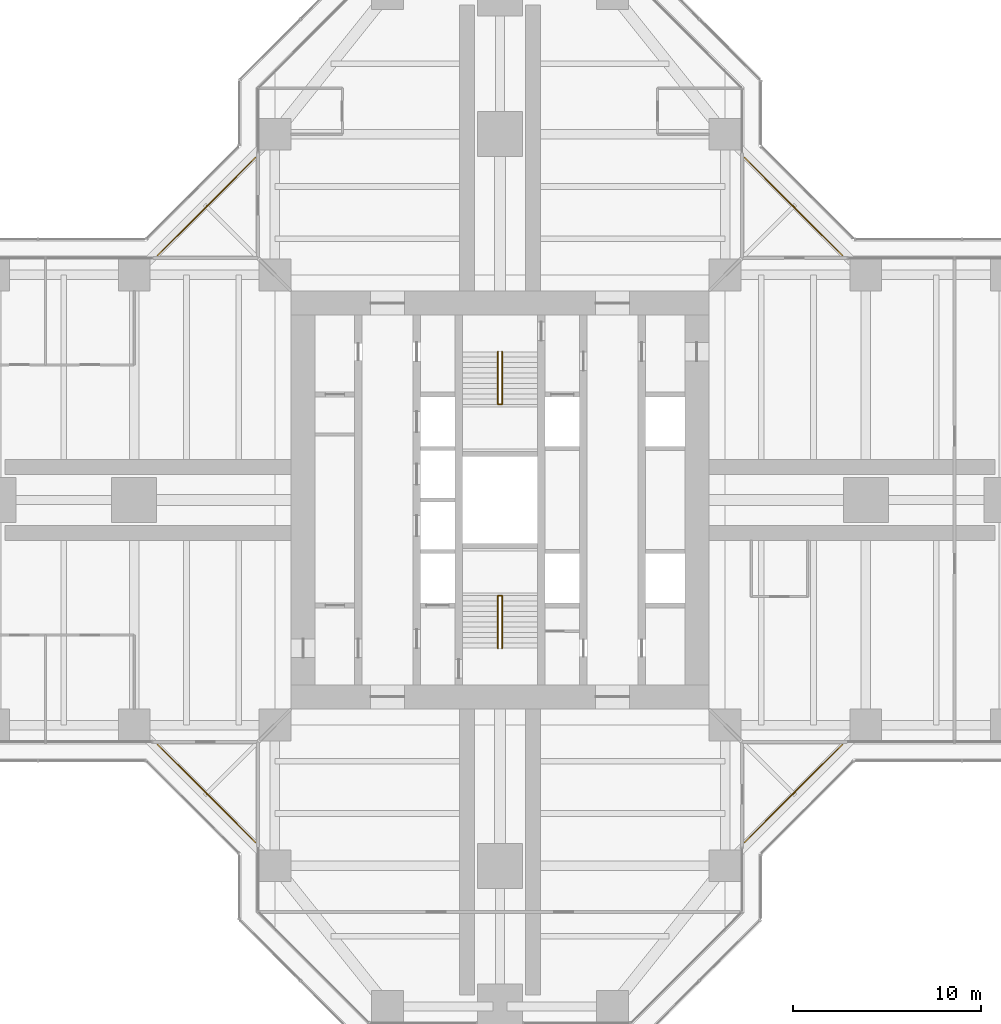
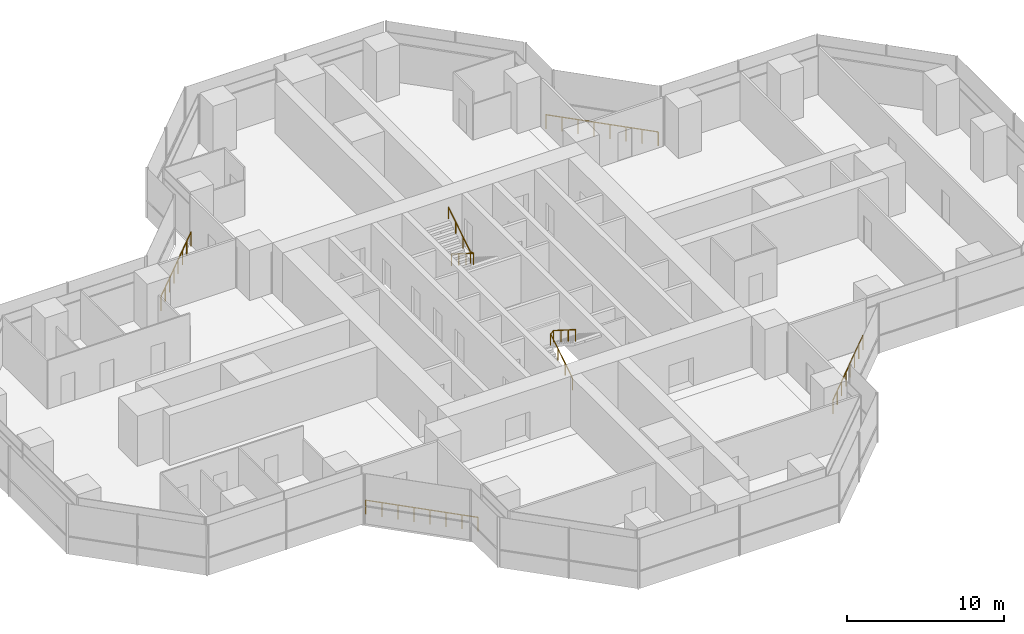
# One storey, part 20 of 20: 6 railings.
"""IFC4 building model written with IfcOpenShell, lengths in metres."""

from ifc_helpers import new_model, si_unit, direction, frame, origin, origin_2d, place, context, subcontext, project, spatial, circle, extrude, material, type_object, element, save


model = new_model("IFC4")

# Units and contexts
model_context = context("Model", 3, precision=1e-05, world=origin(), true_north=direction((0.0, 1.0)))
body_context = subcontext(model_context, "Body", "Model", "MODEL_VIEW")
ifc_project = project(units=[si_unit("LENGTHUNIT", "METRE"), si_unit("AREAUNIT", "SQUARE_METRE"), si_unit("VOLUMEUNIT", "CUBIC_METRE"), si_unit("PLANEANGLEUNIT", "RADIAN"), si_unit("MASSUNIT", "GRAM", prefix="KILO")], contexts=[model_context])

# Site, building, storey
site_placement = place(None, origin())
site = spatial("IfcSite", under=ifc_project, at=site_placement, CompositionType="ELEMENT")
building_placement = place(site_placement, origin())
building = spatial("IfcBuilding", under=site, at=building_placement, Name="Mizan Broadcast Tower", CompositionType="ELEMENT")
storey_placement = place(building_placement, frame((0.0, 0.0, 178.800048828125)))
storey = spatial("IfcBuildingStorey", under=building, at=storey_placement, Name="L41", CompositionType="ELEMENT", Elevation=178.800048828125)

# Railings
ifc_material_1 = material(Name="Stainless steel and glass guard", Category="steel")
railing_type_1 = type_object("IfcRailingType", Name="GUARD 1100", PredefinedType="GUARDRAIL", material=ifc_material_1)
railing_1_placement = place(storey_placement, frame((18.2578125, 13.030029296875, 0.0)))
element("IfcRailing", 1, at=railing_1_placement, inside=storey, type_object=railing_type_1, Name="Winter garden guard L41 E", PredefinedType="GUARDRAIL", context=body_context, shape_type="SweptSolid", body=[
    extrude(circle(Radius=0.02392578125, at=origin_2d()), frame((0.0, 0.0, 1.076171875), z_axis=(-0.707106781187, 0.707106781187, 0.0), x_axis=(-0.707106781187, -0.707106781187, 0.0)), (0.0, 0.0, 1.0), 7.393310546875),
    extrude(circle(Radius=0.02099609375, at=origin_2d()), origin(), (0.0, 0.0, 1.0), 1.052001953125),
    extrude(circle(Radius=0.02099609375, at=origin_2d()), frame((-0.746826171875, 0.746826171875, 0.0)), (0.0, 0.0, 1.0), 1.052001953125),
    extrude(circle(Radius=0.02099609375, at=origin_2d()), frame((-1.49365234375, 1.49365234375, 0.0)), (0.0, 0.0, 1.0), 1.052001953125),
    extrude(circle(Radius=0.02099609375, at=origin_2d()), frame((-2.240478515625, 2.240478515625, 0.0)), (0.0, 0.0, 1.0), 1.052001953125),
    extrude(circle(Radius=0.02099609375, at=origin_2d()), frame((-2.9873046875, 2.9873046875, 0.0)), (0.0, 0.0, 1.0), 1.052001953125),
    extrude(circle(Radius=0.02099609375, at=origin_2d()), frame((-3.734130859375, 3.734130859375, 0.0)), (0.0, 0.0, 1.0), 1.052001953125),
    extrude(circle(Radius=0.02099609375, at=origin_2d()), frame((-4.48095703125, 4.48095703125, 0.0)), (0.0, 0.0, 1.0), 1.052001953125),
    extrude(circle(Radius=0.02099609375, at=origin_2d()), frame((-5.227783203125, 5.227783203125, 0.0)), (0.0, 0.0, 1.0), 1.052001953125),
])
railing_2_placement = place(storey_placement, frame((-13.030029296875, 18.2578125, 0.0)))
element("IfcRailing", 2, at=railing_2_placement, inside=storey, type_object=railing_type_1, Name="Winter garden guard L41 N", PredefinedType="GUARDRAIL", context=body_context, shape_type="SweptSolid", body=[
    extrude(circle(Radius=0.02392578125, at=origin_2d()), frame((0.0, 0.0, 1.076171875), z_axis=(-0.707106781187, -0.707106781187, 0.0), x_axis=(0.707106781187, -0.707106781187, 0.0)), (0.0, 0.0, 1.0), 7.393310546875),
    extrude(circle(Radius=0.02099609375, at=origin_2d()), origin(), (0.0, 0.0, 1.0), 1.052001953125),
    extrude(circle(Radius=0.02099609375, at=origin_2d()), frame((-0.746826171875, -0.746826171875, 0.0)), (0.0, 0.0, 1.0), 1.052001953125),
    extrude(circle(Radius=0.02099609375, at=origin_2d()), frame((-1.49365234375, -1.49365234375, 0.0)), (0.0, 0.0, 1.0), 1.052001953125),
    extrude(circle(Radius=0.02099609375, at=origin_2d()), frame((-2.240478515625, -2.240478515625, 0.0)), (0.0, 0.0, 1.0), 1.052001953125),
    extrude(circle(Radius=0.02099609375, at=origin_2d()), frame((-2.9873046875, -2.9873046875, 0.0)), (0.0, 0.0, 1.0), 1.052001953125),
    extrude(circle(Radius=0.02099609375, at=origin_2d()), frame((-3.734130859375, -3.734130859375, 0.0)), (0.0, 0.0, 1.0), 1.052001953125),
    extrude(circle(Radius=0.02099609375, at=origin_2d()), frame((-4.48095703125, -4.48095703125, 0.0)), (0.0, 0.0, 1.0), 1.052001953125),
    extrude(circle(Radius=0.02099609375, at=origin_2d()), frame((-5.227783203125, -5.227783203125, 0.0)), (0.0, 0.0, 1.0), 1.052001953125),
])
railing_3_placement = place(storey_placement, frame((-18.2578125, -13.030029296875, 0.0)))
element("IfcRailing", 3, at=railing_3_placement, inside=storey, type_object=railing_type_1, Name="Winter garden guard L41 W", PredefinedType="GUARDRAIL", context=body_context, shape_type="SweptSolid", body=[
    extrude(circle(Radius=0.02392578125, at=origin_2d()), frame((0.0, 0.0, 1.076171875), z_axis=(0.707106781187, -0.707106781187, 0.0), x_axis=(0.707106781187, 0.707106781187, 0.0)), (0.0, 0.0, 1.0), 7.393310546875),
    extrude(circle(Radius=0.02099609375, at=origin_2d()), origin(), (0.0, 0.0, 1.0), 1.052001953125),
    extrude(circle(Radius=0.02099609375, at=origin_2d()), frame((0.746826171875, -0.746826171875, 0.0)), (0.0, 0.0, 1.0), 1.052001953125),
    extrude(circle(Radius=0.02099609375, at=origin_2d()), frame((1.49365234375, -1.49365234375, 0.0)), (0.0, 0.0, 1.0), 1.052001953125),
    extrude(circle(Radius=0.02099609375, at=origin_2d()), frame((2.240478515625, -2.240478515625, 0.0)), (0.0, 0.0, 1.0), 1.052001953125),
    extrude(circle(Radius=0.02099609375, at=origin_2d()), frame((2.9873046875, -2.9873046875, 0.0)), (0.0, 0.0, 1.0), 1.052001953125),
    extrude(circle(Radius=0.02099609375, at=origin_2d()), frame((3.734130859375, -3.734130859375, 0.0)), (0.0, 0.0, 1.0), 1.052001953125),
    extrude(circle(Radius=0.02099609375, at=origin_2d()), frame((4.48095703125, -4.48095703125, 0.0)), (0.0, 0.0, 1.0), 1.052001953125),
    extrude(circle(Radius=0.02099609375, at=origin_2d()), frame((5.227783203125, -5.227783203125, 0.0)), (0.0, 0.0, 1.0), 1.052001953125),
])
railing_4_placement = place(storey_placement, frame((13.030029296875, -18.2578125, 0.0)))
element("IfcRailing", 4, at=railing_4_placement, inside=storey, type_object=railing_type_1, Name="Winter garden guard L41 S", PredefinedType="GUARDRAIL", context=body_context, shape_type="SweptSolid", body=[
    extrude(circle(Radius=0.02392578125, at=origin_2d()), frame((0.0, 0.0, 1.076171875), z_axis=(0.707106781187, 0.707106781187, 0.0), x_axis=(-0.707106781187, 0.707106781187, 0.0)), (0.0, 0.0, 1.0), 7.393310546875),
    extrude(circle(Radius=0.02099609375, at=origin_2d()), origin(), (0.0, 0.0, 1.0), 1.052001953125),
    extrude(circle(Radius=0.02099609375, at=origin_2d()), frame((0.746826171875, 0.746826171875, 0.0)), (0.0, 0.0, 1.0), 1.052001953125),
    extrude(circle(Radius=0.02099609375, at=origin_2d()), frame((1.49365234375, 1.49365234375, 0.0)), (0.0, 0.0, 1.0), 1.052001953125),
    extrude(circle(Radius=0.02099609375, at=origin_2d()), frame((2.240478515625, 2.240478515625, 0.0)), (0.0, 0.0, 1.0), 1.052001953125),
    extrude(circle(Radius=0.02099609375, at=origin_2d()), frame((2.9873046875, 2.9873046875, 0.0)), (0.0, 0.0, 1.0), 1.052001953125),
    extrude(circle(Radius=0.02099609375, at=origin_2d()), frame((3.734130859375, 3.734130859375, 0.0)), (0.0, 0.0, 1.0), 1.052001953125),
    extrude(circle(Radius=0.02099609375, at=origin_2d()), frame((4.48095703125, 4.48095703125, 0.0)), (0.0, 0.0, 1.0), 1.052001953125),
    extrude(circle(Radius=0.02099609375, at=origin_2d()), frame((5.227783203125, 5.227783203125, 0.0)), (0.0, 0.0, 1.0), 1.052001953125),
])
ifc_material_2 = material(Name="Stainless steel", Category="steel")
railing_type_2 = type_object("IfcRailingType", Name="HANDRAIL 50", PredefinedType="HANDRAIL", material=ifc_material_2)
railing_5_placement = place(storey_placement, frame((-0.110107421875, -7.89990234375, 0.17724609375)))
element("IfcRailing", 5, at=railing_5_placement, inside=storey, type_object=railing_type_2, Name="Stair A handrail", PredefinedType="HANDRAIL", context=body_context, shape_type="SweptSolid", body=[
    extrude(circle(Radius=0.02392578125, at=origin_2d()), frame((0.0, 0.0, 0.8759765625), z_axis=(0.0, 0.844887892834, 0.53494340686), x_axis=(-1.0, 0.0, 0.0)), (0.0, 0.0, 1.0), 3.313720703125),
    extrude(circle(Radius=0.02392578125, at=origin_2d()), frame((0.0, 2.7998046875, 2.6484375), z_axis=(0.779011685263, 0.0, 0.627009405212), x_axis=(0.0, 1.0, 0.0)), (0.0, 0.0, 1.0), 0.28271484375),
    extrude(circle(Radius=0.02392578125, at=origin_2d()), frame((0.22021484375, 2.7998046875, 2.82568359375), z_axis=(0.0, -0.844887892834, 0.53494340686), x_axis=(1.0, 0.0, 0.0)), (0.0, 0.0, 1.0), 3.313720703125),
    extrude(circle(Radius=0.02099609375, at=origin_2d()), origin(), (0.0, 0.0, 1.0), 0.851806640625),
    extrude(circle(Radius=0.02099609375, at=origin_2d()), frame((0.0, 0.933349609375, 0.5908203125)), (0.0, 0.0, 1.0), 0.851806640625),
    extrude(circle(Radius=0.02099609375, at=origin_2d()), frame((0.0, 1.866455078125, 1.181884765625)), (0.0, 0.0, 1.0), 0.851806640625),
    extrude(circle(Radius=0.02099609375, at=origin_2d()), frame((0.0, 2.7998046875, 1.772705078125)), (0.0, 0.0, 1.0), 0.851806640625),
    extrude(circle(Radius=0.02099609375, at=origin_2d()), frame((0.22021484375, 2.7998046875, 1.949951171875)), (0.0, 0.0, 1.0), 0.851806640625),
    extrude(circle(Radius=0.02099609375, at=origin_2d()), frame((0.22021484375, 1.866455078125, 2.540771484375)), (0.0, 0.0, 1.0), 0.851806640625),
    extrude(circle(Radius=0.02099609375, at=origin_2d()), frame((0.22021484375, 0.933349609375, 3.1318359375)), (0.0, 0.0, 1.0), 0.851806640625),
    extrude(circle(Radius=0.02099609375, at=origin_2d()), frame((0.22021484375, 0.0, 3.72265625)), (0.0, 0.0, 1.0), 0.851806640625),
])
railing_6_placement = place(storey_placement, frame((0.110107421875, 7.89990234375, 0.17724609375)))
element("IfcRailing", 6, at=railing_6_placement, inside=storey, type_object=railing_type_2, Name="Stair B handrail", PredefinedType="HANDRAIL", context=body_context, shape_type="SweptSolid", body=[
    extrude(circle(Radius=0.02392578125, at=origin_2d()), frame((0.0, 0.0, 0.8759765625), z_axis=(0.0, -0.844887892834, 0.53494340686), x_axis=(1.0, 0.0, 0.0)), (0.0, 0.0, 1.0), 3.313720703125),
    extrude(circle(Radius=0.02392578125, at=origin_2d()), frame((0.0, -2.7998046875, 2.6484375), z_axis=(-0.779011685263, 0.0, 0.627009405212), x_axis=(0.0, -1.0, 0.0)), (0.0, 0.0, 1.0), 0.28271484375),
    extrude(circle(Radius=0.02392578125, at=origin_2d()), frame((-0.22021484375, -2.7998046875, 2.82568359375), z_axis=(0.0, 0.844887892834, 0.53494340686), x_axis=(-1.0, 0.0, 0.0)), (0.0, 0.0, 1.0), 3.313720703125),
    extrude(circle(Radius=0.02099609375, at=origin_2d()), origin(), (0.0, 0.0, 1.0), 0.851806640625),
    extrude(circle(Radius=0.02099609375, at=origin_2d()), frame((0.0, -0.933349609375, 0.5908203125)), (0.0, 0.0, 1.0), 0.851806640625),
    extrude(circle(Radius=0.02099609375, at=origin_2d()), frame((0.0, -1.866455078125, 1.181884765625)), (0.0, 0.0, 1.0), 0.851806640625),
    extrude(circle(Radius=0.02099609375, at=origin_2d()), frame((0.0, -2.7998046875, 1.772705078125)), (0.0, 0.0, 1.0), 0.851806640625),
    extrude(circle(Radius=0.02099609375, at=origin_2d()), frame((-0.22021484375, -2.7998046875, 1.949951171875)), (0.0, 0.0, 1.0), 0.851806640625),
    extrude(circle(Radius=0.02099609375, at=origin_2d()), frame((-0.22021484375, -1.866455078125, 2.540771484375)), (0.0, 0.0, 1.0), 0.851806640625),
    extrude(circle(Radius=0.02099609375, at=origin_2d()), frame((-0.22021484375, -0.933349609375, 3.1318359375)), (0.0, 0.0, 1.0), 0.851806640625),
    extrude(circle(Radius=0.02099609375, at=origin_2d()), frame((-0.22021484375, 0.0, 3.72265625)), (0.0, 0.0, 1.0), 0.851806640625),
])

save(model, "model.ifc")
